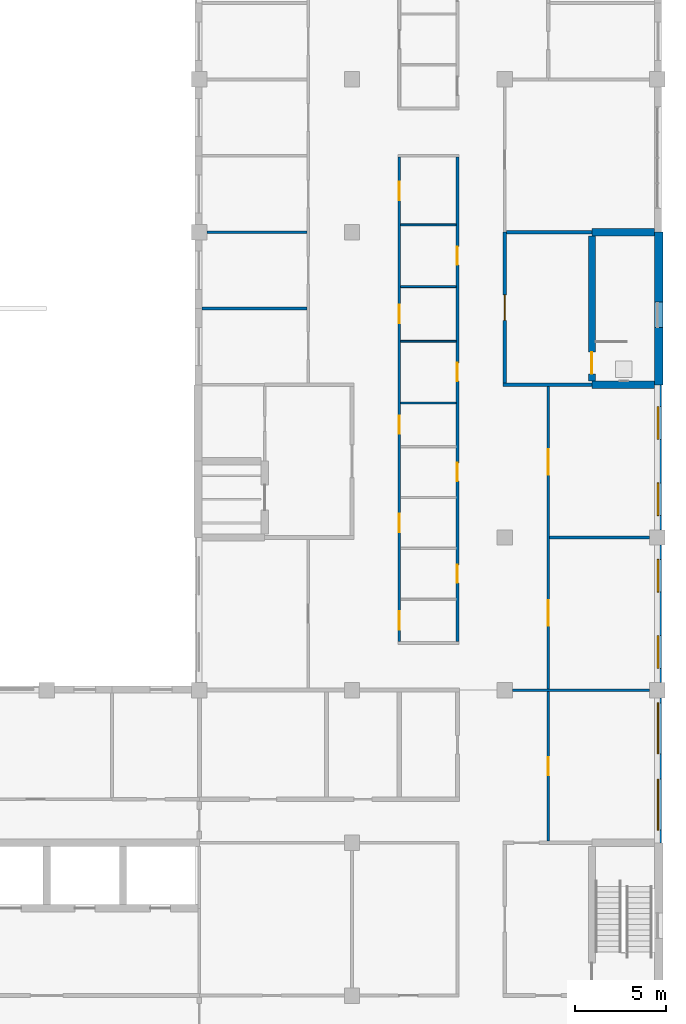
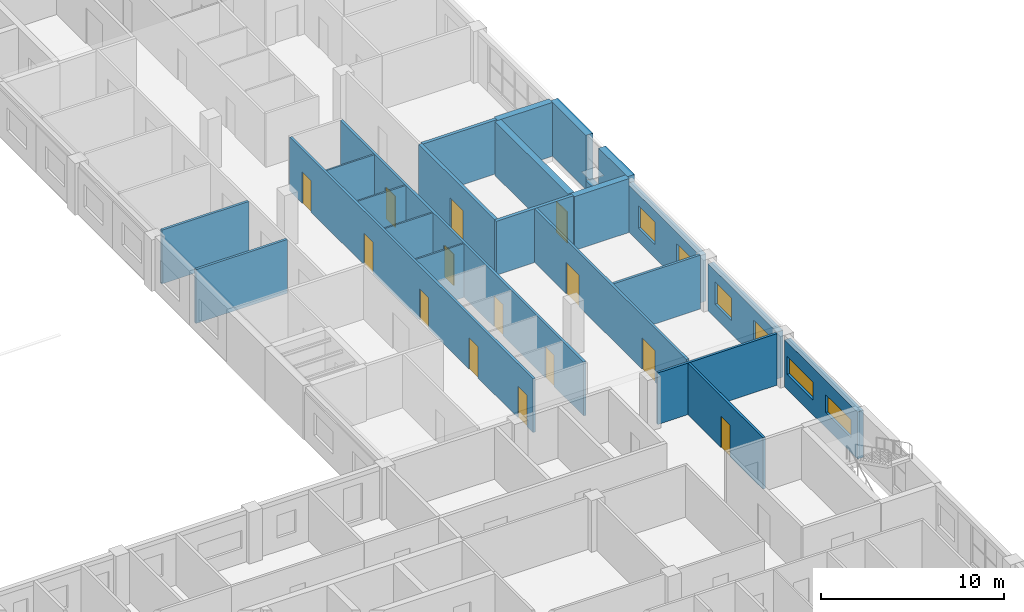
# One storey, part 74 of 94: 24 walls, 14 doors, 6 windows, 20 openings.
"""IFC4 building model written with IfcOpenShell, lengths in metres."""

import ifcopenshell
import ifcopenshell.guid

model = None  # the IFC model being written
_history = None  # IfcOwnerHistory: only IFC2X3 demands one
_inside = {}  # id of a spatial element -> (the spatial element, [elements in it])
_under = {}  # id of a project, library or spatial element -> (it, [spatial elements below it])
_declared = {}  # id of a project -> (the project, [libraries it declares])
_typed = {}  # id of a type object -> (the type object, [elements of that type])
_made_of = {}  # id of a material, layer set ... -> (it, [elements and type objects made of it])


def new_model(schema):
    """Start an empty IFC model of exactly this schema.

    Asked for "IFC4X3", IfcOpenShell would pick the latest addendum, in which some entities
    have other attributes; the version numbers below select the first issue.
    IFC2X3 requires an IfcOwnerHistory on every rooted entity: one is made here for all.
    """
    global model, _history
    if schema == "IFC4X3":
        model = ifcopenshell.file(schema_version=(4, 3, 0, 0))
    else:
        model = ifcopenshell.file(schema=schema)
    _inside.clear()
    _under.clear()
    _declared.clear()
    _typed.clear()
    _made_of.clear()
    _history = None
    if model.schema == "IFC2X3":
        org = make("IfcOrganization", Name="unknown")
        user = make(
            "IfcPersonAndOrganization",
            ThePerson=make("IfcPerson", FamilyName="unknown"),
            TheOrganization=org,
        )
        app = make(
            "IfcApplication",
            ApplicationDeveloper=org,
            Version="unknown",
            ApplicationFullName="unknown",
            ApplicationIdentifier="unknown",
        )
        _history = make(
            "IfcOwnerHistory",
            OwningUser=user,
            OwningApplication=app,
            ChangeAction="ADDED",
            CreationDate=0,
        )
    return model


def make(cls, **values):
    """One entity of the class cls with the attributes given. An attribute that is None is left unset."""
    return model.create_entity(
        cls, **{name: value for name, value in values.items() if value is not None}
    )


def rooted(cls, **values):
    """An entity with a GlobalId (a new one), such as an element, a storey or a relation."""
    return make(cls, GlobalId=ifcopenshell.guid.new(), OwnerHistory=_history, **values)


def si_unit(unit_type, name, prefix=None):
    """IfcSIUnit, for example si_unit("LENGTHUNIT", "METRE", prefix="MILLI")."""
    return make("IfcSIUnit", UnitType=unit_type, Prefix=prefix, Name=name)


def assignment(units):
    """IfcUnitAssignment: the units of a project."""
    return None if units is None else make("IfcUnitAssignment", Units=units)


def point(xyz):
    """IfcCartesianPoint."""
    return None if xyz is None else make("IfcCartesianPoint", Coordinates=xyz)


def direction(xyz):
    """IfcDirection."""
    return None if xyz is None else make("IfcDirection", DirectionRatios=xyz)


def frame(location, z_axis=None, x_axis=None):
    """IfcAxis2Placement3D, a coordinate frame: its origin and axes. An axis left out is left unset."""
    return make(
        "IfcAxis2Placement3D",
        Location=point(location),
        Axis=direction(z_axis),
        RefDirection=direction(x_axis),
    )


def frame_2d(location, x_axis=None):
    """IfcAxis2Placement2D, a coordinate frame in the plane: its origin and x axis."""
    return make(
        "IfcAxis2Placement2D", Location=point(location), RefDirection=direction(x_axis)
    )


def origin():
    """The frame at (0, 0, 0) with its axes left unset."""
    return frame((0.0, 0.0, 0.0))


def place(relative_to, where):
    """IfcLocalPlacement: puts the frame where relative to a parent placement (None: the world)."""
    return make(
        "IfcLocalPlacement", PlacementRelTo=relative_to, RelativePlacement=where
    )


def context(
    kind, dimensions, precision=None, world=None, true_north=None, identifier=None
):
    """IfcGeometricRepresentationContext, for example the 3D "Model" context."""
    return make(
        "IfcGeometricRepresentationContext",
        ContextIdentifier=identifier,
        ContextType=kind,
        CoordinateSpaceDimension=dimensions,
        Precision=precision,
        WorldCoordinateSystem=world,
        TrueNorth=true_north,
    )


def subcontext(parent, identifier, kind, view, scale=None):
    """IfcGeometricRepresentationSubContext, for example "Body" below "Model"."""
    return make(
        "IfcGeometricRepresentationSubContext",
        ContextIdentifier=identifier,
        ContextType=kind,
        ParentContext=parent,
        TargetScale=scale,
        TargetView=view,
    )


def project(units=None, contexts=None):
    """IfcProject with its units and contexts."""
    return rooted(
        "IfcProject",
        Name="project",
        RepresentationContexts=contexts,
        UnitsInContext=assignment(units),
    )


def spatial(cls, under=None, at=None, **own):
    """A site, building, storey or space (cls), placed at a placement, below another one or the project."""
    s = rooted(cls, ObjectPlacement=at, **own)
    if under is not None:
        _under.setdefault(under.id(), (under, []))[1].append(s)
    return s


def profile(cls, at=None, kind="AREA", **sizes):
    """A parametric profile (cls). Its sizes go by their IFC names, for example OverallWidth=200.0."""
    return make(cls, ProfileType=kind, Position=at, **sizes)


def rectangle(**sizes):
    """IfcRectangleProfileDef."""
    return profile("IfcRectangleProfileDef", **sizes)


def extrude(swept, where, along, depth):
    """IfcExtrudedAreaSolid: the profile swept, set in the frame where, extruded along a direction by depth."""
    return make(
        "IfcExtrudedAreaSolid",
        SweptArea=swept,
        Position=where,
        ExtrudedDirection=direction(along),
        Depth=depth,
    )


def shape(context_of_items, identifier, shape_type, items):
    """IfcShapeRepresentation: the items that make up one representation, for example the "Body"."""
    return make(
        "IfcShapeRepresentation",
        ContextOfItems=context_of_items,
        RepresentationIdentifier=identifier,
        RepresentationType=shape_type,
        Items=items,
    )


def material(Name=None, Category=None):
    """IfcMaterial."""
    return make("IfcMaterial", Name=Name, Category=Category)


def layer(
    of_material, thickness, ventilated=None, Name=None, Category=None, Priority=None
):
    """IfcMaterialLayer: one layer of a wall or slab, of a material (None: an air gap)."""
    return make(
        "IfcMaterialLayer",
        Material=of_material,
        LayerThickness=thickness,
        IsVentilated=ventilated,
        Name=Name,
        Category=Category,
        Priority=Priority,
    )


def layer_set(layers, Name=None):
    """IfcMaterialLayerSet."""
    return make("IfcMaterialLayerSet", MaterialLayers=layers, LayerSetName=Name)


def made_of(thing, what):
    """Note that an element or type object is made of a material, layer set ...; save() writes the relation."""
    if what is not None:
        _made_of.setdefault(what.id(), (what, []))[1].append(thing)
    return thing


def type_object(cls, material=None, **own):
    """A type object (cls), such as IfcWallType, which elements share."""
    return made_of(rooted(cls, **own), material)


def element(
    cls,
    number,
    at=None,
    inside=None,
    cuts=None,
    type_object=None,
    material=None,
    context=None,
    identifier="Body",
    shape_type=None,
    held_by="IfcProductDefinitionShape",
    body=None,
    shapes=None,
    **own,
):
    """One element of the class cls, such as IfcWall. Its Tag is "e" and its number.

    at: its placement. inside: the storey or other place that contains it. cuts: it is an
    opening in that element (IfcRelVoidsElement). A single representation is given by context,
    identifier, shape_type and body (its items); several are given by shapes. held_by: the class
    of the entity that holds the representations. save() writes the other relations.
    """
    e = rooted(cls, Tag="e%d" % number, ObjectPlacement=at, **own)
    if body is not None:
        shapes = [shape(context, identifier, shape_type, body)]
    if shapes is not None:
        e.Representation = make(held_by, Representations=shapes)
    if inside is not None:
        _inside.setdefault(inside.id(), (inside, []))[1].append(e)
    if cuts is not None:
        rooted(
            "IfcRelVoidsElement", RelatingBuildingElement=cuts, RelatedOpeningElement=e
        )
    if type_object is not None:
        _typed.setdefault(type_object.id(), (type_object, []))[1].append(e)
    return made_of(e, material)


def fill(opening, filler):
    """IfcRelFillsElement: the door or window that sits in an opening."""
    return rooted(
        "IfcRelFillsElement",
        RelatingOpeningElement=opening,
        RelatedBuildingElement=filler,
    )


def aggregate(whole, parts):
    """IfcRelAggregates: a whole, such as a stair, and the parts it consists of."""
    return rooted("IfcRelAggregates", RelatingObject=whole, RelatedObjects=parts)


def save(model, path):
    """Write the relations noted so far, then the file.

    IfcRelAggregates (storeys below a building ...), IfcRelContainedInSpatialStructure (elements
    in a storey), IfcRelDefinesByType, IfcRelAssociatesMaterial and IfcRelDeclares: one each for
    every whole, place, type object, material and project.
    """
    for whole, parts in _under.values():
        aggregate(whole, parts)
    for where, things in _inside.values():
        rooted(
            "IfcRelContainedInSpatialStructure",
            RelatedElements=things,
            RelatingStructure=where,
        )
    for kind, things in _typed.values():
        rooted("IfcRelDefinesByType", RelatedObjects=things, RelatingType=kind)
    for what, things in _made_of.values():
        rooted("IfcRelAssociatesMaterial", RelatedObjects=things, RelatingMaterial=what)
    for by, libraries in _declared.values():
        rooted("IfcRelDeclares", RelatingContext=by, RelatedDefinitions=libraries)
    model.write(path)


model = new_model("IFC4")

# Units and contexts
model_context = context("Model", 3, precision=1e-05, world=origin(), true_north=direction((0.0, 1.0)))
body_context = subcontext(model_context, "Body", "Model", "MODEL_VIEW")
ifc_project = project(units=[si_unit("LENGTHUNIT", "METRE"), si_unit("AREAUNIT", "SQUARE_METRE"), si_unit("VOLUMEUNIT", "CUBIC_METRE"), si_unit("PLANEANGLEUNIT", "RADIAN"), si_unit("MASSUNIT", "GRAM", prefix="KILO")], contexts=[model_context])

# Site, building, storey
site_placement = place(None, origin())
site = spatial("IfcSite", under=ifc_project, at=site_placement, CompositionType="ELEMENT")
building_placement = place(site_placement, origin())
building = spatial("IfcBuilding", under=site, at=building_placement, Name="Yavir Park General Hospital", CompositionType="ELEMENT")
storey_placement = place(building_placement, frame((0.0, 0.0, 4.5)))
storey = spatial("IfcBuildingStorey", under=building, at=storey_placement, Name="L01", CompositionType="ELEMENT", Elevation=4.5)

# Walls
ifc_material_1 = material(Name="Double gypsum board fire partition on steel studs", Category="steel")
ifc_layer_1 = layer(ifc_material_1, 0.199951171875)
ifc_layer_set_1 = layer_set([ifc_layer_1], Name="Double gypsum board fire partition on steel studs")
wall_type_1 = type_object("IfcWallType", Name="Fire-rated partition 200, EI 60", PredefinedType="PARTITIONING", material=ifc_layer_set_1)
wall_1_placement = place(storey_placement, frame((159.5, 50.39990234375, 0.0), z_axis=(0.0, 0.0, 1.0), x_axis=(1.0, 0.0, 0.0)))
element("IfcWall", 1, at=wall_1_placement, inside=storey, type_object=wall_type_1, Name="FP20 L01-160", PredefinedType="PARTITIONING", context=body_context, shape_type="SweptSolid", body=[
    extrude(rectangle(XDim=4.89990234375, YDim=0.199951171875, at=frame_2d((2.449951171875, 0.0))), origin(), (0.0, 0.0, 1.0), 3.60009765625),
])
wall_2_placement = place(storey_placement, frame((159.699951171875, 58.800048828125, 0.0), z_axis=(0.0, 0.0, 1.0), x_axis=(1.0, 0.0, 0.0)))
element("IfcWall", 2, at=wall_2_placement, inside=storey, type_object=wall_type_1, Name="FP20 L01-175", PredefinedType="PARTITIONING", context=body_context, shape_type="SweptSolid", body=[
    extrude(rectangle(XDim=4.699951171875, YDim=0.199951171875, at=frame_2d((2.35009765625, 0.0))), origin(), (0.0, 0.0, 1.0), 3.60009765625),
])

# Wall, opening, door
wall_3_placement = place(storey_placement, frame((159.60009765625, 50.5, 0.0), z_axis=(0.0, 0.0, 1.0), x_axis=(0.0, 1.0, 0.0)))
wall_3 = element("IfcWall", 3, at=wall_3_placement, inside=storey, type_object=wall_type_1, Name="FP20 L01-495", PredefinedType="PARTITIONING", context=body_context, shape_type="SweptSolid", body=[
    extrude(rectangle(XDim=8.300048828125, YDim=0.199951171875, at=frame_2d((4.14990234375, 0.0))), origin(), (0.0, 0.0, 1.0), 3.60009765625),
])
opening_1_placement = place(wall_3_placement, frame((3.449951171875, 0.0, 0.0)))
opening_1 = element("IfcOpeningElement", 4, at=opening_1_placement, cuts=wall_3, Name="Opening L01.D294", PredefinedType="OPENING", context=body_context, shape_type="SweptSolid", body=[
    extrude(rectangle(XDim=1.39990234375, YDim=2.10009765625, at=frame_2d((0.699951171875, 1.050048828125))), frame((0.0, 0.10986328125, 0.0), z_axis=(0.0, -1.0, 0.0), x_axis=(1.0, 0.0, 0.0)), (0.0, 0.0, 1.0), 0.219970703125),
])
ifc_material_2 = material(Name="Steel frame, fire-resisting leaves with vision panels", Category="steel")
door_type_1 = type_object("IfcDoorType", Name="Double fire door with vision panels 1400 x 2100, EI 60", OperationType="DOUBLE_DOOR_SINGLE_SWING", PredefinedType="DOOR", material=ifc_material_2)
door_1_placement = place(opening_1_placement, origin())
door_1 = element("IfcDoor", 5, at=door_1_placement, inside=storey, type_object=door_type_1, Name="L01.D294", OperationType="SINGLE_SWING_RIGHT", OverallHeight=2.10009765625, OverallWidth=1.39990234375, PredefinedType="DOOR", context=body_context, shape_type="SweptSolid", body=[
    extrude(rectangle(XDim=1.39990234375, YDim=2.10009765625, at=frame_2d((0.699951171875, 1.050048828125))), frame((0.0, 0.030029296875, 0.0), z_axis=(0.0, -1.0, 0.0), x_axis=(1.0, 0.0, 0.0)), (0.0, 0.0, 1.0), 0.06005859375),
])
fill(opening_1, door_1)

# Walls
ifc_material_3 = material(Name="Gypsum board partition on steel studs", Category="steel")
ifc_layer_2 = layer(ifc_material_3, 0.10009765625)
ifc_layer_set_2 = layer_set([ifc_layer_2], Name="Gypsum board partition on steel studs")
wall_type_2 = type_object("IfcWallType", Name="Gypsum board partition 100", PredefinedType="PARTITIONING", material=ifc_layer_set_2)
for number, where, z_axis, x_axis, name in (
    (6, (153.875, 49.39990234375, 0.0), (0.0, 0.0, 1.0), (1.0, 0.0, 0.0), "P10 L01-152"),
    (7, (153.875, 52.800048828125, 0.0), (0.0, 0.0, 1.0), (1.0, 0.0, 0.0), "P10 L01-163"),
    (8, (153.875, 55.800048828125, 0.0), (0.0, 0.0, 1.0), (1.0, 0.0, 0.0), "P10 L01-166"),
    (9, (153.875, 59.199951171875, 0.0), (0.0, 0.0, 1.0), (1.0, 0.0, 0.0), "P10 L01-177"),
):
    element("IfcWall", number, at=place(storey_placement, frame(where, z_axis=z_axis, x_axis=x_axis)), inside=storey, type_object=wall_type_2, Name=name, PredefinedType="PARTITIONING", context=body_context, shape_type="SweptSolid", body=[
        extrude(rectangle(XDim=3.050048828125, YDim=0.10009765625, at=frame_2d((1.52490234375, 0.0))), origin(), (0.0, 0.0, 1.0), 3.60009765625),
    ])
ifc_material_4 = material(Name="Gypsum board partition on steel studs", Category="steel")
ifc_layer_3 = layer(ifc_material_4, 0.14990234375)
ifc_layer_set_3 = layer_set([ifc_layer_3], Name="Gypsum board partition on steel studs")
wall_type_3 = type_object("IfcWallType", Name="Gypsum board partition 150", PredefinedType="PARTITIONING", material=ifc_layer_set_3)
wall_4_placement = place(storey_placement, frame((160.02490234375, 33.60009765625, 0.0), z_axis=(0.0, 0.0, 1.0), x_axis=(1.0, 0.0, 0.0)))
element("IfcWall", 10, at=wall_4_placement, inside=storey, type_object=wall_type_3, Name="P15 L01-134", PredefinedType="PARTITIONING", context=body_context, shape_type="SweptSolid", body=[
    extrude(rectangle(XDim=7.550048828125, YDim=0.14990234375, at=frame_2d((3.77490234375, 0.0))), origin(), (0.0, 0.0, 1.0), 3.449951171875),
])
wall_5_placement = place(storey_placement, frame((162.074951171875, 42.0, 0.0), z_axis=(0.0, 0.0, 1.0), x_axis=(1.0, 0.0, 0.0)))
element("IfcWall", 11, at=wall_5_placement, inside=storey, type_object=wall_type_3, Name="P15 L01-146", PredefinedType="PARTITIONING", context=body_context, shape_type="SweptSolid", body=[
    extrude(rectangle(XDim=5.5, YDim=0.14990234375, at=frame_2d((2.75, 0.0))), origin(), (0.0, 0.0, 1.0), 3.60009765625),
])
wall_6_placement = place(storey_placement, frame((142.949951171875, 54.60009765625, 0.0), z_axis=(0.0, 0.0, 1.0), x_axis=(1.0, 0.0, 0.0)))
element("IfcWall", 12, at=wall_6_placement, inside=storey, type_object=wall_type_3, Name="P15 L01-165", PredefinedType="PARTITIONING", context=body_context, shape_type="SweptSolid", body=[
    extrude(rectangle(XDim=5.775146484375, YDim=0.14990234375, at=frame_2d((2.8876953125, 0.0))), origin(), (0.0, 0.0, 1.0), 3.60009765625),
])
wall_7_placement = place(storey_placement, frame((143.22509765625, 58.800048828125, 0.0), z_axis=(0.0, 0.0, 1.0), x_axis=(1.0, 0.0, 0.0)))
element("IfcWall", 13, at=wall_7_placement, inside=storey, type_object=wall_type_3, Name="P15 L01-174", PredefinedType="PARTITIONING", context=body_context, shape_type="SweptSolid", body=[
    extrude(rectangle(XDim=5.5, YDim=0.14990234375, at=frame_2d((2.75, 0.0))), origin(), (0.0, 0.0, 1.0), 3.60009765625),
])

# Wall, openings, doors
wall_8_placement = place(storey_placement, frame((153.800048828125, 36.27490234375, 0.0), z_axis=(0.0, 0.0, 1.0), x_axis=(0.0, 1.0, 0.0)))
wall_8 = element("IfcWall", 14, at=wall_8_placement, inside=storey, type_object=wall_type_3, Name="P15 L01-479", PredefinedType="PARTITIONING", context=body_context, shape_type="SweptSolid", body=[
    extrude(rectangle(XDim=26.650146484375, YDim=0.14990234375, at=frame_2d((13.3251953125, 0.0))), origin(), (0.0, 0.0, 1.0), 3.60009765625),
])
opening_2_placement = place(wall_8_placement, frame((0.66259765625, 0.0, 0.0)))
opening_2 = element("IfcOpeningElement", 15, at=opening_2_placement, cuts=wall_8, Name="Opening L01.D267", PredefinedType="OPENING", context=body_context, shape_type="SweptSolid", body=[
    extrude(rectangle(XDim=1.0, YDim=2.10009765625, at=frame_2d((0.5, 1.050048828125))), frame((0.0, 0.0849609375, 0.0), z_axis=(0.0, -1.0, 0.0), x_axis=(1.0, 0.0, 0.0)), (0.0, 0.0, 1.0), 0.169921875),
])
opening_3_placement = place(wall_8_placement, frame((6.02490234375, 0.0, 0.0)))
opening_3 = element("IfcOpeningElement", 16, at=opening_3_placement, cuts=wall_8, Name="Opening L01.D268", PredefinedType="OPENING", context=body_context, shape_type="SweptSolid", body=[
    extrude(rectangle(XDim=1.0, YDim=2.10009765625, at=frame_2d((0.5, 1.050048828125))), frame((0.0, 0.0849609375, 0.0), z_axis=(0.0, -1.0, 0.0), x_axis=(1.0, 0.0, 0.0)), (0.0, 0.0, 1.0), 0.169921875),
])
opening_4_placement = place(wall_8_placement, frame((11.425048828125, 0.0, 0.0)))
opening_4 = element("IfcOpeningElement", 17, at=opening_4_placement, cuts=wall_8, Name="Opening L01.D269", PredefinedType="OPENING", context=body_context, shape_type="SweptSolid", body=[
    extrude(rectangle(XDim=1.0, YDim=2.10009765625, at=frame_2d((0.5, 1.050048828125))), frame((0.0, 0.0849609375, 0.0), z_axis=(0.0, -1.0, 0.0), x_axis=(1.0, 0.0, 0.0)), (0.0, 0.0, 1.0), 0.169921875),
])
opening_5_placement = place(wall_8_placement, frame((17.52490234375, 0.0, 0.0)))
opening_5 = element("IfcOpeningElement", 18, at=opening_5_placement, cuts=wall_8, Name="Opening L01.D270", PredefinedType="OPENING", context=body_context, shape_type="SweptSolid", body=[
    extrude(rectangle(XDim=1.0, YDim=2.10009765625, at=frame_2d((0.5, 1.050048828125))), frame((0.0, 0.0849609375, 0.0), z_axis=(0.0, -1.0, 0.0), x_axis=(1.0, 0.0, 0.0)), (0.0, 0.0, 1.0), 0.169921875),
])
opening_6_placement = place(wall_8_placement, frame((24.28759765625, 0.0, 0.0)))
opening_6 = element("IfcOpeningElement", 19, at=opening_6_placement, cuts=wall_8, Name="Opening L01.D271", PredefinedType="OPENING", context=body_context, shape_type="SweptSolid", body=[
    extrude(rectangle(XDim=1.0, YDim=2.10009765625, at=frame_2d((0.5, 1.050048828125))), frame((0.0, 0.0849609375, 0.0), z_axis=(0.0, -1.0, 0.0), x_axis=(1.0, 0.0, 0.0)), (0.0, 0.0, 1.0), 0.169921875),
])
ifc_material_5 = material(Name="Hollow metal frame, solid-core timber leaf", Category="wood")
door_type_2 = type_object("IfcDoorType", Name="Single swing door 1000 x 2100", OperationType="SINGLE_SWING_LEFT", PredefinedType="DOOR", material=ifc_material_5)
door_2_placement = place(opening_2_placement, origin())
door_2 = element("IfcDoor", 20, at=door_2_placement, inside=storey, type_object=door_type_2, Name="L01.D267", OperationType="SINGLE_SWING_RIGHT", OverallHeight=2.10009765625, OverallWidth=1.0, PredefinedType="DOOR", context=body_context, shape_type="SweptSolid", body=[
    extrude(rectangle(XDim=1.0, YDim=2.10009765625, at=frame_2d((0.5, 1.050048828125))), frame((0.0, 0.02490234375, 0.0), z_axis=(0.0, -1.0, 0.0), x_axis=(1.0, 0.0, 0.0)), (0.0, 0.0, 1.0), 0.050048828125),
])
fill(opening_2, door_2)
door_3_placement = place(opening_3_placement, origin())
door_3 = element("IfcDoor", 21, at=door_3_placement, inside=storey, type_object=door_type_2, Name="L01.D268", OperationType="SINGLE_SWING_LEFT", OverallHeight=2.10009765625, OverallWidth=1.0, PredefinedType="DOOR", context=body_context, shape_type="SweptSolid", body=[
    extrude(rectangle(XDim=1.0, YDim=2.10009765625, at=frame_2d((0.5, 1.050048828125))), frame((0.0, 0.02490234375, 0.0), z_axis=(0.0, -1.0, 0.0), x_axis=(1.0, 0.0, 0.0)), (0.0, 0.0, 1.0), 0.050048828125),
])
fill(opening_3, door_3)
door_4_placement = place(opening_4_placement, origin())
door_4 = element("IfcDoor", 22, at=door_4_placement, inside=storey, type_object=door_type_2, Name="L01.D269", OperationType="SINGLE_SWING_LEFT", OverallHeight=2.10009765625, OverallWidth=1.0, PredefinedType="DOOR", context=body_context, shape_type="SweptSolid", body=[
    extrude(rectangle(XDim=1.0, YDim=2.10009765625, at=frame_2d((0.5, 1.050048828125))), frame((0.0, 0.02490234375, 0.0), z_axis=(0.0, -1.0, 0.0), x_axis=(1.0, 0.0, 0.0)), (0.0, 0.0, 1.0), 0.050048828125),
])
fill(opening_4, door_4)
door_5_placement = place(opening_5_placement, origin())
door_5 = element("IfcDoor", 23, at=door_5_placement, inside=storey, type_object=door_type_2, Name="L01.D270", OperationType="SINGLE_SWING_LEFT", OverallHeight=2.10009765625, OverallWidth=1.0, PredefinedType="DOOR", context=body_context, shape_type="SweptSolid", body=[
    extrude(rectangle(XDim=1.0, YDim=2.10009765625, at=frame_2d((0.5, 1.050048828125))), frame((0.0, 0.02490234375, 0.0), z_axis=(0.0, -1.0, 0.0), x_axis=(1.0, 0.0, 0.0)), (0.0, 0.0, 1.0), 0.050048828125),
])
fill(opening_5, door_5)
door_6_placement = place(opening_6_placement, origin())
door_6 = element("IfcDoor", 24, at=door_6_placement, inside=storey, type_object=door_type_2, Name="L01.D271", OperationType="SINGLE_SWING_RIGHT", OverallHeight=2.10009765625, OverallWidth=1.0, PredefinedType="DOOR", context=body_context, shape_type="SweptSolid", body=[
    extrude(rectangle(XDim=1.0, YDim=2.10009765625, at=frame_2d((0.5, 1.050048828125))), frame((0.0, 0.02490234375, 0.0), z_axis=(0.0, -1.0, 0.0), x_axis=(1.0, 0.0, 0.0)), (0.0, 0.0, 1.0), 0.050048828125),
])
fill(opening_6, door_6)

wall_9_placement = place(storey_placement, frame((157.0, 36.27490234375, 0.0), z_axis=(0.0, 0.0, 1.0), x_axis=(0.0, 1.0, 0.0)))
wall_9 = element("IfcWall", 25, at=wall_9_placement, inside=storey, type_object=wall_type_3, Name="P15 L01-488", PredefinedType="PARTITIONING", context=body_context, shape_type="SweptSolid", body=[
    extrude(rectangle(XDim=26.650146484375, YDim=0.14990234375, at=frame_2d((13.3251953125, 0.0))), origin(), (0.0, 0.0, 1.0), 3.60009765625),
])
opening_7_placement = place(wall_9_placement, frame((3.22509765625, 0.0, 0.0)))
opening_7 = element("IfcOpeningElement", 26, at=opening_7_placement, cuts=wall_9, Name="Opening L01.D283", PredefinedType="OPENING", context=body_context, shape_type="SweptSolid", body=[
    extrude(rectangle(XDim=1.0, YDim=2.10009765625, at=frame_2d((0.5, 1.050048828125))), frame((0.0, 0.0849609375, 0.0), z_axis=(0.0, -1.0, 0.0), x_axis=(1.0, 0.0, 0.0)), (0.0, 0.0, 1.0), 0.169921875),
])
opening_8_placement = place(wall_9_placement, frame((8.824951171875, 0.0, 0.0)))
opening_8 = element("IfcOpeningElement", 27, at=opening_8_placement, cuts=wall_9, Name="Opening L01.D284", PredefinedType="OPENING", context=body_context, shape_type="SweptSolid", body=[
    extrude(rectangle(XDim=1.0, YDim=2.10009765625, at=frame_2d((0.5, 1.050048828125))), frame((0.0, 0.0849609375, 0.0), z_axis=(0.0, -1.0, 0.0), x_axis=(1.0, 0.0, 0.0)), (0.0, 0.0, 1.0), 0.169921875),
])
opening_9_placement = place(wall_9_placement, frame((14.324951171875, 0.0, 0.0)))
opening_9 = element("IfcOpeningElement", 28, at=opening_9_placement, cuts=wall_9, Name="Opening L01.D285", PredefinedType="OPENING", context=body_context, shape_type="SweptSolid", body=[
    extrude(rectangle(XDim=1.0, YDim=2.10009765625, at=frame_2d((0.5, 1.050048828125))), frame((0.0, 0.0849609375, 0.0), z_axis=(0.0, -1.0, 0.0), x_axis=(1.0, 0.0, 0.0)), (0.0, 0.0, 1.0), 0.169921875),
])
opening_10_placement = place(wall_9_placement, frame((20.72509765625, 0.0, 0.0)))
opening_10 = element("IfcOpeningElement", 29, at=opening_10_placement, cuts=wall_9, Name="Opening L01.D286", PredefinedType="OPENING", context=body_context, shape_type="SweptSolid", body=[
    extrude(rectangle(XDim=1.0, YDim=2.10009765625, at=frame_2d((0.5, 1.050048828125))), frame((0.0, 0.0849609375, 0.0), z_axis=(0.0, -1.0, 0.0), x_axis=(1.0, 0.0, 0.0)), (0.0, 0.0, 1.0), 0.169921875),
])
door_7_placement = place(opening_7_placement, origin())
door_7 = element("IfcDoor", 30, at=door_7_placement, inside=storey, type_object=door_type_2, Name="L01.D283", OperationType="SINGLE_SWING_RIGHT", OverallHeight=2.10009765625, OverallWidth=1.0, PredefinedType="DOOR", context=body_context, shape_type="SweptSolid", body=[
    extrude(rectangle(XDim=1.0, YDim=2.10009765625, at=frame_2d((0.5, 1.050048828125))), frame((0.0, 0.02490234375, 0.0), z_axis=(0.0, -1.0, 0.0), x_axis=(1.0, 0.0, 0.0)), (0.0, 0.0, 1.0), 0.050048828125),
])
fill(opening_7, door_7)
door_8_placement = place(opening_8_placement, origin())
door_8 = element("IfcDoor", 31, at=door_8_placement, inside=storey, type_object=door_type_2, Name="L01.D284", OperationType="SINGLE_SWING_RIGHT", OverallHeight=2.10009765625, OverallWidth=1.0, PredefinedType="DOOR", context=body_context, shape_type="SweptSolid", body=[
    extrude(rectangle(XDim=1.0, YDim=2.10009765625, at=frame_2d((0.5, 1.050048828125))), frame((0.0, 0.02490234375, 0.0), z_axis=(0.0, -1.0, 0.0), x_axis=(1.0, 0.0, 0.0)), (0.0, 0.0, 1.0), 0.050048828125),
])
fill(opening_8, door_8)
door_9_placement = place(opening_9_placement, origin())
door_9 = element("IfcDoor", 32, at=door_9_placement, inside=storey, type_object=door_type_2, Name="L01.D285", OperationType="SINGLE_SWING_RIGHT", OverallHeight=2.10009765625, OverallWidth=1.0, PredefinedType="DOOR", context=body_context, shape_type="SweptSolid", body=[
    extrude(rectangle(XDim=1.0, YDim=2.10009765625, at=frame_2d((0.5, 1.050048828125))), frame((0.0, 0.02490234375, 0.0), z_axis=(0.0, -1.0, 0.0), x_axis=(1.0, 0.0, 0.0)), (0.0, 0.0, 1.0), 0.050048828125),
])
fill(opening_9, door_9)
door_10_placement = place(opening_10_placement, origin())
door_10 = element("IfcDoor", 33, at=door_10_placement, inside=storey, type_object=door_type_2, Name="L01.D286", OperationType="SINGLE_SWING_RIGHT", OverallHeight=2.10009765625, OverallWidth=1.0, PredefinedType="DOOR", context=body_context, shape_type="SweptSolid", body=[
    extrude(rectangle(XDim=1.0, YDim=2.10009765625, at=frame_2d((0.5, 1.050048828125))), frame((0.0, 0.02490234375, 0.0), z_axis=(0.0, -1.0, 0.0), x_axis=(1.0, 0.0, 0.0)), (0.0, 0.0, 1.0), 0.050048828125),
])
fill(opening_10, door_10)

# Wall, opening, door
wall_10_placement = place(storey_placement, frame((162.0, 25.300048828125, 0.0), z_axis=(0.0, 0.0, 1.0), x_axis=(0.0, 1.0, 0.0)))
wall_10 = element("IfcWall", 34, at=wall_10_placement, inside=storey, type_object=wall_type_3, Name="P15 L01-501", PredefinedType="PARTITIONING", context=body_context, shape_type="SweptSolid", body=[
    extrude(rectangle(XDim=8.224853515625, YDim=0.14990234375, at=frame_2d((4.1123046875, 0.0))), origin(), (0.0, 0.0, 1.0), 3.449951171875),
])
opening_11_placement = place(wall_10_placement, frame((3.612548828125, 0.0, 0.0)))
opening_11 = element("IfcOpeningElement", 35, at=opening_11_placement, cuts=wall_10, Name="Opening L01.D299", PredefinedType="OPENING", context=body_context, shape_type="SweptSolid", body=[
    extrude(rectangle(XDim=1.0, YDim=2.10009765625, at=frame_2d((0.5, 1.050048828125))), frame((0.0, 0.0849609375, 0.0), z_axis=(0.0, -1.0, 0.0), x_axis=(1.0, 0.0, 0.0)), (0.0, 0.0, 1.0), 0.169921875),
])
door_11_placement = place(opening_11_placement, origin())
door_11 = element("IfcDoor", 36, at=door_11_placement, inside=storey, type_object=door_type_2, Name="L01.D299", OperationType="SINGLE_SWING_LEFT", OverallHeight=2.10009765625, OverallWidth=1.0, PredefinedType="DOOR", context=body_context, shape_type="SweptSolid", body=[
    extrude(rectangle(XDim=1.0, YDim=2.10009765625, at=frame_2d((0.5, 1.050048828125))), frame((0.0, 0.02490234375, 0.0), z_axis=(0.0, -1.0, 0.0), x_axis=(1.0, 0.0, 0.0)), (0.0, 0.0, 1.0), 0.050048828125),
])
fill(opening_11, door_11)

# Wall, openings, doors
wall_11_placement = place(storey_placement, frame((162.0, 33.675048828125, 0.0), z_axis=(0.0, 0.0, 1.0), x_axis=(0.0, 1.0, 0.0)))
wall_11 = element("IfcWall", 37, at=wall_11_placement, inside=storey, type_object=wall_type_3, Name="P15 L01-502", PredefinedType="PARTITIONING", context=body_context, shape_type="SweptSolid", body=[
    extrude(rectangle(XDim=16.625, YDim=0.14990234375, at=frame_2d((8.3125, 0.0))), origin(), (0.0, 0.0, 1.0), 3.60009765625),
])
opening_12_placement = place(wall_11_placement, frame((3.46240234375, 0.0, 0.0)))
opening_12 = element("IfcOpeningElement", 38, at=opening_12_placement, cuts=wall_11, Name="Opening L01.D300", PredefinedType="OPENING", context=body_context, shape_type="SweptSolid", body=[
    extrude(rectangle(XDim=1.39990234375, YDim=2.10009765625, at=frame_2d((0.699951171875, 1.050048828125))), frame((0.0, 0.0849609375, 0.0), z_axis=(0.0, -1.0, 0.0), x_axis=(1.0, 0.0, 0.0)), (0.0, 0.0, 1.0), 0.169921875),
])
opening_13_placement = place(wall_11_placement, frame((11.77490234375, 0.0, 0.0)))
opening_13 = element("IfcOpeningElement", 39, at=opening_13_placement, cuts=wall_11, Name="Opening L01.D301", PredefinedType="OPENING", context=body_context, shape_type="SweptSolid", body=[
    extrude(rectangle(XDim=1.39990234375, YDim=2.10009765625, at=frame_2d((0.699951171875, 1.050048828125))), frame((0.0, 0.0849609375, 0.0), z_axis=(0.0, -1.0, 0.0), x_axis=(1.0, 0.0, 0.0)), (0.0, 0.0, 1.0), 0.169921875),
])
ifc_material_6 = material(Name="Hollow metal frame, solid-core timber leaf", Category="wood")
door_type_3 = type_object("IfcDoorType", Name="Double swing door 1400 x 2100", OperationType="DOUBLE_DOOR_SINGLE_SWING", PredefinedType="DOOR", material=ifc_material_6)
door_12_placement = place(opening_12_placement, origin())
door_12 = element("IfcDoor", 40, at=door_12_placement, inside=storey, type_object=door_type_3, Name="L01.D300", OperationType="SINGLE_SWING_RIGHT", OverallHeight=2.10009765625, OverallWidth=1.39990234375, PredefinedType="DOOR", context=body_context, shape_type="SweptSolid", body=[
    extrude(rectangle(XDim=1.39990234375, YDim=2.10009765625, at=frame_2d((0.699951171875, 1.050048828125))), frame((0.0, 0.02490234375, 0.0), z_axis=(0.0, -1.0, 0.0), x_axis=(1.0, 0.0, 0.0)), (0.0, 0.0, 1.0), 0.050048828125),
])
fill(opening_12, door_12)
door_13_placement = place(opening_13_placement, origin())
door_13 = element("IfcDoor", 41, at=door_13_placement, inside=storey, type_object=door_type_3, Name="L01.D301", OperationType="SINGLE_SWING_LEFT", OverallHeight=2.10009765625, OverallWidth=1.39990234375, PredefinedType="DOOR", context=body_context, shape_type="SweptSolid", body=[
    extrude(rectangle(XDim=1.39990234375, YDim=2.10009765625, at=frame_2d((0.699951171875, 1.050048828125))), frame((0.0, 0.02490234375, 0.0), z_axis=(0.0, -1.0, 0.0), x_axis=(1.0, 0.0, 0.0)), (0.0, 0.0, 1.0), 0.050048828125),
])
fill(opening_13, door_13)

# Wall, openings, windows
ifc_material_7 = material(Name="Autoclaved aerated block, 150 mm mineral wool and sand-coloured mineral render")
ifc_layer_4 = layer(ifc_material_7, 0.375)
ifc_layer_set_4 = layer_set([ifc_layer_4], Name="Autoclaved aerated block, 150 mm mineral wool and sand-coloured mineral render")
wall_type_4 = type_object("IfcWallType", Name="Mineral render clinical wall 375, E 30", PredefinedType="SOLIDWALL", material=ifc_layer_set_4)
wall_12_placement = place(storey_placement, frame((168.03759765625, 25.199951171875, 0.0), z_axis=(0.0, 0.0, 1.0), x_axis=(0.0, 1.0, 0.0)))
wall_12 = element("IfcWall", 42, at=wall_12_placement, inside=storey, type_object=wall_type_4, Name="XW1 L01-217", PredefinedType="SOLIDWALL", context=body_context, shape_type="SweptSolid", body=[
    extrude(rectangle(XDim=7.97509765625, YDim=0.375, at=frame_2d((3.987548828125, 0.0))), origin(), (0.0, 0.0, 1.0), 3.14990234375),
])
opening_14_placement = place(wall_12_placement, frame((0.699951171875, 0.0, 1.0)))
opening_14 = element("IfcOpeningElement", 43, at=opening_14_placement, cuts=wall_12, Name="Opening WRB", PredefinedType="OPENING", context=body_context, shape_type="SweptSolid", body=[
    extrude(rectangle(XDim=2.800048828125, YDim=1.199951171875, at=frame_2d((1.39990234375, 0.60009765625))), frame((0.0, 0.197509765625, 0.0), z_axis=(0.0, -1.0, 0.0), x_axis=(1.0, 0.0, 0.0)), (0.0, 0.0, 1.0), 0.39501953125),
])
opening_15_placement = place(wall_12_placement, frame((4.89990234375, 0.0, 1.0)))
opening_15 = element("IfcOpeningElement", 44, at=opening_15_placement, cuts=wall_12, Name="Opening WRB", PredefinedType="OPENING", context=body_context, shape_type="SweptSolid", body=[
    extrude(rectangle(XDim=2.800048828125, YDim=1.199951171875, at=frame_2d((1.39990234375, 0.60009765625))), frame((0.0, 0.197509765625, 0.0), z_axis=(0.0, -1.0, 0.0), x_axis=(1.0, 0.0, 0.0)), (0.0, 0.0, 1.0), 0.39501953125),
])
ifc_material_8 = material(Name="Aluminium frame, double glazed unit", Category="aluminium")
window_type_1 = type_object("IfcWindowType", Name="Ribbon window 2800 x 1200", PartitioningType="DOUBLE_PANEL_VERTICAL", PredefinedType="WINDOW", material=ifc_material_8)
window_1_placement = place(opening_14_placement, origin())
window_1 = element("IfcWindow", 45, at=window_1_placement, inside=storey, type_object=window_type_1, Name="WRB L01-113", OverallHeight=1.199951171875, OverallWidth=2.800048828125, PartitioningType="DOUBLE_PANEL_VERTICAL", PredefinedType="WINDOW", context=body_context, shape_type="SweptSolid", body=[
    extrude(rectangle(XDim=2.800048828125, YDim=1.199951171875, at=frame_2d((1.39990234375, 0.60009765625))), frame((0.0, 0.030029296875, 0.0), z_axis=(0.0, -1.0, 0.0), x_axis=(1.0, 0.0, 0.0)), (0.0, 0.0, 1.0), 0.06005859375),
])
fill(opening_14, window_1)
window_2_placement = place(opening_15_placement, origin())
window_2 = element("IfcWindow", 46, at=window_2_placement, inside=storey, type_object=window_type_1, Name="WRB L01-114", OverallHeight=1.199951171875, OverallWidth=2.800048828125, PartitioningType="DOUBLE_PANEL_VERTICAL", PredefinedType="WINDOW", context=body_context, shape_type="SweptSolid", body=[
    extrude(rectangle(XDim=2.800048828125, YDim=1.199951171875, at=frame_2d((1.39990234375, 0.60009765625))), frame((0.0, 0.030029296875, 0.0), z_axis=(0.0, -1.0, 0.0), x_axis=(1.0, 0.0, 0.0)), (0.0, 0.0, 1.0), 0.06005859375),
])
fill(opening_15, window_2)

wall_13_placement = place(storey_placement, frame((168.03759765625, 34.02490234375, 0.0), z_axis=(0.0, 0.0, 1.0), x_axis=(0.0, 1.0, 0.0)))
wall_13 = element("IfcWall", 47, at=wall_13_placement, inside=storey, type_object=wall_type_4, Name="XW1 L01-218", PredefinedType="SOLIDWALL", context=body_context, shape_type="SweptSolid", body=[
    extrude(rectangle(XDim=7.550048828125, YDim=0.375, at=frame_2d((3.77490234375, 0.0))), origin(), (0.0, 0.0, 1.0), 3.14990234375),
])
opening_16_placement = place(wall_13_placement, frame((0.77490234375, 0.0, 0.89990234375)))
opening_16 = element("IfcOpeningElement", 48, at=opening_16_placement, cuts=wall_13, Name="Opening WS", PredefinedType="OPENING", context=body_context, shape_type="SweptSolid", body=[
    extrude(rectangle(XDim=1.800048828125, YDim=1.5, at=frame_2d((0.89990234375, 0.75))), frame((0.0, 0.197509765625, 0.0), z_axis=(0.0, -1.0, 0.0), x_axis=(1.0, 0.0, 0.0)), (0.0, 0.0, 1.0), 0.39501953125),
])
opening_17_placement = place(wall_13_placement, frame((4.97509765625, 0.0, 0.89990234375)))
opening_17 = element("IfcOpeningElement", 49, at=opening_17_placement, cuts=wall_13, Name="Opening WS", PredefinedType="OPENING", context=body_context, shape_type="SweptSolid", body=[
    extrude(rectangle(XDim=1.800048828125, YDim=1.5, at=frame_2d((0.89990234375, 0.75))), frame((0.0, 0.197509765625, 0.0), z_axis=(0.0, -1.0, 0.0), x_axis=(1.0, 0.0, 0.0)), (0.0, 0.0, 1.0), 0.39501953125),
])
ifc_material_9 = material(Name="Aluminium frame, impact-resistant glazed unit", Category="aluminium")
window_type_2 = type_object("IfcWindowType", Name="Emergency department window, impact glazing 1800 x 1500", PartitioningType="SINGLE_PANEL", PredefinedType="WINDOW", material=ifc_material_9)
window_3_placement = place(opening_16_placement, origin())
window_3 = element("IfcWindow", 50, at=window_3_placement, inside=storey, type_object=window_type_2, Name="WS L01-115", OverallHeight=1.5, OverallWidth=1.800048828125, PartitioningType="SINGLE_PANEL", PredefinedType="WINDOW", context=body_context, shape_type="SweptSolid", body=[
    extrude(rectangle(XDim=1.800048828125, YDim=1.5, at=frame_2d((0.89990234375, 0.75))), frame((0.0, 0.044921875, 0.0), z_axis=(0.0, -1.0, 0.0), x_axis=(1.0, 0.0, 0.0)), (0.0, 0.0, 1.0), 0.090087890625),
])
fill(opening_16, window_3)
window_4_placement = place(opening_17_placement, origin())
window_4 = element("IfcWindow", 51, at=window_4_placement, inside=storey, type_object=window_type_2, Name="WS L01-116", OverallHeight=1.5, OverallWidth=1.800048828125, PartitioningType="SINGLE_PANEL", PredefinedType="WINDOW", context=body_context, shape_type="SweptSolid", body=[
    extrude(rectangle(XDim=1.800048828125, YDim=1.5, at=frame_2d((0.89990234375, 0.75))), frame((0.0, 0.044921875, 0.0), z_axis=(0.0, -1.0, 0.0), x_axis=(1.0, 0.0, 0.0)), (0.0, 0.0, 1.0), 0.090087890625),
])
fill(opening_17, window_4)

wall_14_placement = place(storey_placement, frame((168.03759765625, 42.425048828125, 0.0), z_axis=(0.0, 0.0, 1.0), x_axis=(0.0, 1.0, 0.0)))
wall_14 = element("IfcWall", 52, at=wall_14_placement, inside=storey, type_object=wall_type_4, Name="XW1 L01-219", PredefinedType="SOLIDWALL", context=body_context, shape_type="SweptSolid", body=[
    extrude(rectangle(XDim=7.974853515625, YDim=0.375, at=frame_2d((3.9873046875, 0.0))), origin(), (0.0, 0.0, 1.0), 3.14990234375),
])
opening_18_placement = place(wall_14_placement, frame((0.77490234375, 0.0, 0.89990234375)))
opening_18 = element("IfcOpeningElement", 53, at=opening_18_placement, cuts=wall_14, Name="Opening WS", PredefinedType="OPENING", context=body_context, shape_type="SweptSolid", body=[
    extrude(rectangle(XDim=1.800048828125, YDim=1.5, at=frame_2d((0.89990234375, 0.75))), frame((0.0, 0.197509765625, 0.0), z_axis=(0.0, -1.0, 0.0), x_axis=(1.0, 0.0, 0.0)), (0.0, 0.0, 1.0), 0.39501953125),
])
opening_19_placement = place(wall_14_placement, frame((4.97509765625, 0.0, 0.89990234375)))
opening_19 = element("IfcOpeningElement", 54, at=opening_19_placement, cuts=wall_14, Name="Opening WS", PredefinedType="OPENING", context=body_context, shape_type="SweptSolid", body=[
    extrude(rectangle(XDim=1.800048828125, YDim=1.5, at=frame_2d((0.89990234375, 0.75))), frame((0.0, 0.197509765625, 0.0), z_axis=(0.0, -1.0, 0.0), x_axis=(1.0, 0.0, 0.0)), (0.0, 0.0, 1.0), 0.39501953125),
])
window_5_placement = place(opening_18_placement, origin())
window_5 = element("IfcWindow", 55, at=window_5_placement, inside=storey, type_object=window_type_2, Name="WS L01-117", OverallHeight=1.5, OverallWidth=1.800048828125, PartitioningType="SINGLE_PANEL", PredefinedType="WINDOW", context=body_context, shape_type="SweptSolid", body=[
    extrude(rectangle(XDim=1.800048828125, YDim=1.5, at=frame_2d((0.89990234375, 0.75))), frame((0.0, 0.044921875, 0.0), z_axis=(0.0, -1.0, 0.0), x_axis=(1.0, 0.0, 0.0)), (0.0, 0.0, 1.0), 0.090087890625),
])
fill(opening_18, window_5)
window_6_placement = place(opening_19_placement, origin())
window_6 = element("IfcWindow", 56, at=window_6_placement, inside=storey, type_object=window_type_2, Name="WS L01-118", OverallHeight=1.5, OverallWidth=1.800048828125, PartitioningType="SINGLE_PANEL", PredefinedType="WINDOW", context=body_context, shape_type="SweptSolid", body=[
    extrude(rectangle(XDim=1.800048828125, YDim=1.5, at=frame_2d((0.89990234375, 0.75))), frame((0.0, 0.044921875, 0.0), z_axis=(0.0, -1.0, 0.0), x_axis=(1.0, 0.0, 0.0)), (0.0, 0.0, 1.0), 0.090087890625),
])
fill(opening_19, window_6)

# Walls
ifc_material_10 = material(Name="Concrete C35/45", Category="concrete")
ifc_layer_5 = layer(ifc_material_10, 0.39990234375)
ifc_layer_set_5 = layer_set([ifc_layer_5], Name="Concrete C35/45")
wall_type_5 = type_object("IfcWallType", Name="Reinforced concrete core wall 400, REI 150", PredefinedType="SHEAR", material=ifc_layer_set_5)
for number, where, z_axis, x_axis, name in (
    (57, (164.39990234375, 50.39990234375, 0.0), (0.0, 0.0, 1.0), (1.0, 0.0, 0.0), "CW40 L01-161"),
    (58, (164.39990234375, 58.800048828125, 0.0), (0.0, 0.0, 1.0), (1.0, 0.0, 0.0), "CW40 L01-176"),
):
    element("IfcWall", number, at=place(storey_placement, frame(where, z_axis=z_axis, x_axis=x_axis)), inside=storey, type_object=wall_type_5, Name=name, PredefinedType="SHEAR", context=body_context, shape_type="SweptSolid", body=[
        extrude(rectangle(XDim=3.4501953125, YDim=0.39990234375, at=frame_2d((1.72509765625, 0.0))), origin(), (0.0, 0.0, 1.0), 3.60009765625),
    ])

# Wall, opening, door
wall_15_placement = place(storey_placement, frame((164.39990234375, 50.60009765625, 0.0), z_axis=(0.0, 0.0, 1.0), x_axis=(0.0, 1.0, 0.0)))
wall_15 = element("IfcWall", 59, at=wall_15_placement, inside=storey, type_object=wall_type_5, Name="CW40 L01-507", PredefinedType="SHEAR", context=body_context, shape_type="SweptSolid", body=[
    extrude(rectangle(XDim=8.0, YDim=0.39990234375, at=frame_2d((4.0, 0.0))), origin(), (0.0, 0.0, 1.0), 3.60009765625),
])
opening_20_placement = place(wall_15_placement, frame((0.39990234375, 0.0, 0.0)))
opening_20 = element("IfcOpeningElement", 60, at=opening_20_placement, cuts=wall_15, Name="Opening L01.D309", PredefinedType="OPENING", context=body_context, shape_type="SweptSolid", body=[
    extrude(rectangle(XDim=1.199951171875, YDim=2.10009765625, at=frame_2d((0.60009765625, 1.050048828125))), frame((0.0, 0.2099609375, 0.0), z_axis=(0.0, -1.0, 0.0), x_axis=(1.0, 0.0, 0.0)), (0.0, 0.0, 1.0), 0.419921875),
])
ifc_material_11 = material(Name="Steel frame, fire-resisting timber leaf", Category="steel")
door_type_4 = type_object("IfcDoorType", Name="Fire door 1200 x 2100, EI 60", OperationType="SINGLE_SWING_LEFT", PredefinedType="DOOR", material=ifc_material_11)
door_14_placement = place(opening_20_placement, origin())
door_14 = element("IfcDoor", 61, at=door_14_placement, inside=storey, type_object=door_type_4, Name="L01.D309", OperationType="SINGLE_SWING_LEFT", OverallHeight=2.10009765625, OverallWidth=1.199951171875, PredefinedType="DOOR", context=body_context, shape_type="SweptSolid", body=[
    extrude(rectangle(XDim=1.199951171875, YDim=2.10009765625, at=frame_2d((0.60009765625, 1.050048828125))), frame((0.0, 0.02490234375, 0.0), z_axis=(0.0, -1.0, 0.0), x_axis=(1.0, 0.0, 0.0)), (0.0, 0.0, 1.0), 0.050048828125),
])
fill(opening_20, door_14)

# Walls
ifc_material_12 = material(Name="Concrete C30/37 precast panel with 150 mm mineral wool insulation", Category="concrete")
ifc_layer_6 = layer(ifc_material_12, 0.449951171875)
ifc_layer_set_6 = layer_set([ifc_layer_6], Name="Concrete C30/37 precast panel with 150 mm mineral wool insulation")
wall_type_6 = type_object("IfcWallType", Name="Stair enclosure wall 450, REI 150", PredefinedType="SOLIDWALL", material=ifc_layer_set_6)
wall_16_placement = place(storey_placement, frame((168.074951171875, 50.39990234375, 0.0), z_axis=(0.0, 0.0, 1.0), x_axis=(0.0, 1.0, 0.0)))
element("IfcWall", 62, at=wall_16_placement, inside=storey, type_object=wall_type_6, Name="XW6 L01-220", PredefinedType="SOLIDWALL", context=body_context, shape_type="SweptSolid", body=[
    extrude(rectangle(XDim=3.150146484375, YDim=0.449951171875, at=frame_2d((1.5751953125, 0.0))), origin(), (0.0, 0.0, 1.0), 3.60009765625),
])
wall_17_placement = place(storey_placement, frame((168.074951171875, 54.949951171875, 0.0), z_axis=(0.0, 0.0, 1.0), x_axis=(0.0, 1.0, 0.0)))
element("IfcWall", 63, at=wall_17_placement, inside=storey, type_object=wall_type_6, Name="XW6 L01-221", PredefinedType="SOLIDWALL", context=body_context, shape_type="SweptSolid", body=[
    extrude(rectangle(XDim=3.85009765625, YDim=0.449951171875, at=frame_2d((1.925048828125, 0.0))), origin(), (0.0, 0.0, 1.0), 3.60009765625),
])
wall_18_placement = place(storey_placement, frame((168.074951171875, 53.550048828125, 0.0), z_axis=(0.0, 0.0, 1.0), x_axis=(0.0, 1.0, 0.0)))
element("IfcWall", 64, at=wall_18_placement, inside=storey, type_object=wall_type_6, Name="XW6 L01-222", PredefinedType="SOLIDWALL", context=body_context, shape_type="SweptSolid", body=[
    extrude(rectangle(XDim=1.39990234375, YDim=0.449951171875, at=frame_2d((0.699951171875, 0.0))), origin(), (0.0, 0.0, 1.0), 0.60009765625),
])

save(model, "model.ifc")
